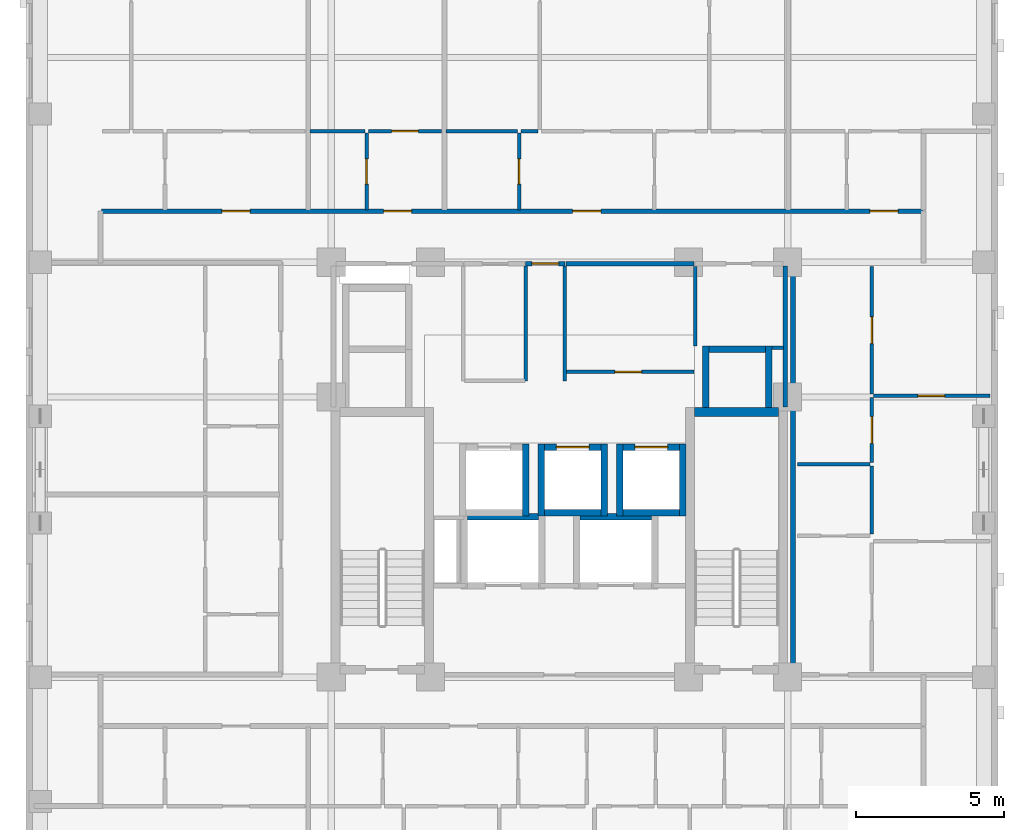
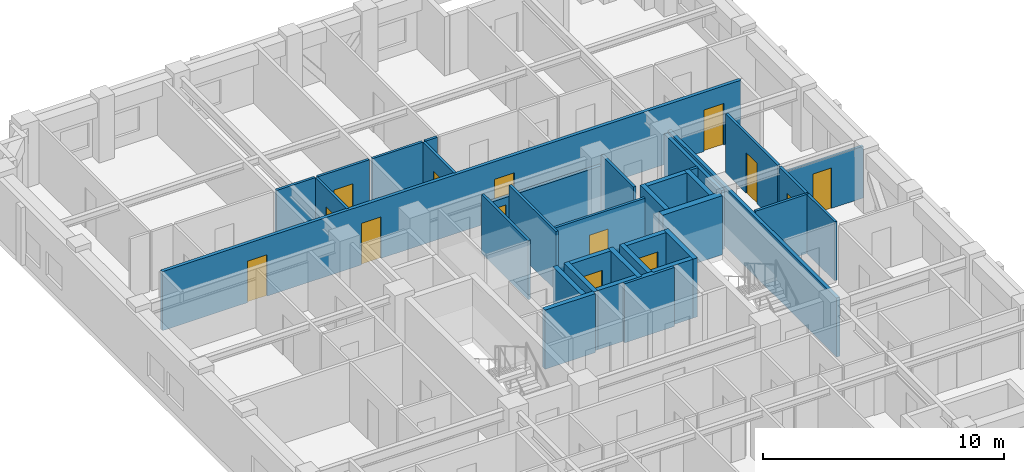
# One storey, part 6 of 11: 36 walls, 14 doors, 14 openings.
"""IFC4 building model written with IfcOpenShell, lengths in metres."""

from ifc_helpers import new_model, si_unit, derived_unit, direction, frame, frame_2d, origin, place, context, subcontext, project, spatial, rectangle, extrude, material, layer, layer_set, type_object, element, fill, save


model = new_model("IFC4")

# Units and contexts
model_context = context("Model", 3, precision=1e-05, world=origin(), true_north=direction((0.0, 1.0)))
body_context = subcontext(model_context, "Body", "Model", "MODEL_VIEW")
ifc_project = project(units=[si_unit("LENGTHUNIT", "METRE"), si_unit("AREAUNIT", "SQUARE_METRE"), si_unit("VOLUMEUNIT", "CUBIC_METRE"), si_unit("PLANEANGLEUNIT", "RADIAN"), si_unit("MASSUNIT", "GRAM", prefix="KILO"), derived_unit("THERMALTRANSMITTANCEUNIT", [(si_unit("MASSUNIT", "GRAM", prefix="KILO"), 1), (si_unit("TIMEUNIT", "SECOND"), -3), (si_unit("THERMODYNAMICTEMPERATUREUNIT", "KELVIN"), -1)])], contexts=[model_context])

# Site, building, storey
site_placement = place(None, origin())
site = spatial("IfcSite", under=ifc_project, at=site_placement, CompositionType="ELEMENT")
building_placement = place(site_placement, origin())
building = spatial("IfcBuilding", under=site, at=building_placement, Name="Korrvale Station Residences", CompositionType="ELEMENT")
storey_placement = place(building_placement, frame((0.0, 0.0, 143.89990234375)))
storey = spatial("IfcBuildingStorey", under=building, at=storey_placement, Name="L41", CompositionType="ELEMENT", Elevation=143.89990234375)

# Walls
ifc_material_1 = material(Name="Concrete C60/75", Category="concrete")
ifc_layer_1 = layer(ifc_material_1, 0.300048828125, Name="Concrete C60/75")
ifc_layer_set_1 = layer_set([ifc_layer_1], Name="Concrete C60/75")
wall_type_1 = type_object("IfcWallType", Name="WAL-CORE-300-C60", PredefinedType="SHEAR", material=ifc_layer_set_1)
wall_1_placement = place(storey_placement, frame((30.050048828125, 23.949951171875, 0.0), z_axis=(0.0, 0.0, 1.0), x_axis=(1.0, 0.0, 0.0)))
element("IfcWall", 1, at=wall_1_placement, inside=storey, type_object=wall_type_1, Name="L41 ST-2 Core Shear Wall North", PredefinedType="SHEAR", context=body_context, shape_type="SweptSolid", body=[
    extrude(rectangle(XDim=2.849853515625, YDim=0.300048828125, at=frame_2d((1.4248046875, 0.0))), origin(), (0.0, 0.0, 1.0), 2.989990234375),
])
ifc_material_2 = material(Name="Acoustic steel-stud gypsum board partition", Category="steel")
ifc_layer_2 = layer(ifc_material_2, 0.1201171875, Name="Acoustic steel-stud gypsum board partition")
ifc_layer_set_2 = layer_set([ifc_layer_2], Name="Acoustic steel-stud gypsum board partition")
wall_type_2 = type_object("IfcWallType", Name="WAL-PART-125", PredefinedType="PARTITIONING", material=ifc_layer_set_2)
for number, where, z_axis, x_axis, name in (
    (2, (24.360107421875, 25.0, 0.0), (0.0, 0.0, 1.0), (0.0, 1.0, 0.0), "L41 Core Partition CW-PSG-W"),
    (3, (25.679931640625, 25.0, 0.0), (0.0, 0.0, 1.0), (0.0, 1.0, 0.0), "L41 Core Partition CW-PSG-E"),
):
    element("IfcWall", number, at=place(storey_placement, frame(where, z_axis=z_axis, x_axis=x_axis)), inside=storey, type_object=wall_type_2, Name=name, PredefinedType="PARTITIONING", context=body_context, shape_type="SweptSolid", body=[
        extrude(rectangle(XDim=3.8701171875, YDim=0.1201171875, at=frame_2d((1.93505859375, 0.0))), origin(), (0.0, 0.0, 1.0), 2.989990234375),
    ])
wall_2_placement = place(storey_placement, frame((30.080078125, 26.179931640625, 0.0), z_axis=(0.0, 0.0, 1.0), x_axis=(0.0, 1.0, 0.0)))
element("IfcWall", 4, at=wall_2_placement, inside=storey, type_object=wall_type_2, Name="L41 Core Partition CW-CS-W", PredefinedType="PARTITIONING", context=body_context, shape_type="SweptSolid", body=[
    extrude(rectangle(XDim=2.68017578125, YDim=0.1201171875, at=frame_2d((1.340087890625, 0.0))), origin(), (0.0, 0.0, 1.0), 2.989990234375),
])
wall_3_placement = place(storey_placement, frame((32.679931640625, 26.1201171875, 0.0), z_axis=(0.0, 0.0, 1.0), x_axis=(1.0, 0.0, 0.0)))
element("IfcWall", 5, at=wall_3_placement, inside=storey, type_object=wall_type_2, Name="L41 Core Partition CW-CS-S", PredefinedType="PARTITIONING", context=body_context, shape_type="SweptSolid", body=[
    extrude(rectangle(XDim=0.380126953125, YDim=0.1201171875, at=frame_2d((0.18994140625, 0.0))), origin(), (0.0, 0.0, 1.0), 2.989990234375),
])

# Wall, opening, door
wall_4_placement = place(storey_placement, frame((25.719970703125, 25.300048828125, 0.0), z_axis=(0.0, 0.0, 1.0), x_axis=(1.0, 0.0, 0.0)))
wall_4 = element("IfcWall", 6, at=wall_4_placement, inside=storey, type_object=wall_type_2, Name="L41 Core Partition CW-FPLE-S", PredefinedType="PARTITIONING", context=body_context, shape_type="SweptSolid", body=[
    extrude(rectangle(XDim=4.320068359375, YDim=0.1201171875, at=frame_2d((2.16015625, 0.0))), origin(), (0.0, 0.0, 1.0), 2.989990234375),
])
opening_1_placement = place(wall_4_placement, frame((1.64990234375, 0.0, 0.0)))
opening_1 = element("IfcOpeningElement", 7, at=opening_1_placement, cuts=wall_4, Name="Opening DI-900", PredefinedType="OPENING", context=body_context, shape_type="SweptSolid", body=[
    extrude(rectangle(XDim=0.89990234375, YDim=2.050048828125, at=frame_2d((0.449951171875, 1.02490234375))), frame((0.0, 0.070068359375, 0.0), z_axis=(0.0, -1.0, 0.0), x_axis=(1.0, 0.0, 0.0)), (0.0, 0.0, 1.0), 0.14013671875),
])
ifc_material_3 = material(Name="Painted solid-core timber interior room door", Category="wood")
door_type_1 = type_object("IfcDoorType", Name="DR-INT-900", OperationType="NOTDEFINED", PredefinedType="DOOR", material=ifc_material_3)
door_1_placement = place(opening_1_placement, origin())
door_1 = element("IfcDoor", 8, at=door_1_placement, inside=storey, type_object=door_type_1, Name="L41 Housekeeping Linen Door", OperationType="SINGLE_SWING_LEFT", OverallHeight=2.050048828125, OverallWidth=0.89990234375, PredefinedType="DOOR", context=body_context, shape_type="SweptSolid", body=[
    extrude(rectangle(XDim=0.89990234375, YDim=2.050048828125, at=frame_2d((0.449951171875, 1.02490234375))), frame((0.0, 0.02490234375, 0.0), z_axis=(0.0, -1.0, 0.0), x_axis=(1.0, 0.0, 0.0)), (0.0, 0.0, 1.0), 0.050048828125),
])
fill(opening_1, door_1)

wall_5_placement = place(storey_placement, frame((18.993896484375, 30.760009765625, 0.0), z_axis=(0.0, 0.0, 1.0), x_axis=(0.0, 1.0, 0.0)))
wall_5 = element("IfcWall", 9, at=wall_5_placement, inside=storey, type_object=wall_type_2, Name="L41 Suite Partition U04-V01", PredefinedType="PARTITIONING", context=body_context, shape_type="SweptSolid", body=[
    extrude(rectangle(XDim=2.60009765625, YDim=0.1201171875, at=frame_2d((1.300048828125, 0.0))), origin(), (0.0, 0.0, 1.0), 2.989990234375),
])
opening_2_placement = place(wall_5_placement, frame((0.8701171875, 0.0, 0.0)))
opening_2 = element("IfcOpeningElement", 10, at=opening_2_placement, cuts=wall_5, Name="Opening DB-860", PredefinedType="OPENING", context=body_context, shape_type="SweptSolid", body=[
    extrude(rectangle(XDim=0.860107421875, YDim=2.050048828125, at=frame_2d((0.43017578125, 1.02490234375))), frame((0.0, 0.070068359375, 0.0), z_axis=(0.0, -1.0, 0.0), x_axis=(1.0, 0.0, 0.0)), (0.0, 0.0, 1.0), 0.14013671875),
])
ifc_material_4 = material(Name="Moisture-resistant solid-core bathroom door", Category="timber")
door_type_2 = type_object("IfcDoorType", Name="DR-BATH-860", OperationType="NOTDEFINED", PredefinedType="DOOR", material=ifc_material_4)
door_2_placement = place(opening_2_placement, origin())
door_2 = element("IfcDoor", 11, at=door_2_placement, inside=storey, type_object=door_type_2, Name="L41 Studio Apartment L41-U04 Bathroom Door", OperationType="SINGLE_SWING_LEFT", OverallHeight=2.050048828125, OverallWidth=0.860107421875, PredefinedType="DOOR", context=body_context, shape_type="SweptSolid", body=[
    extrude(rectangle(XDim=0.860107421875, YDim=2.050048828125, at=frame_2d((0.43017578125, 1.02490234375))), frame((0.0, 0.02490234375, 0.0), z_axis=(0.0, -1.0, 0.0), x_axis=(1.0, 0.0, 0.0)), (0.0, 0.0, 1.0), 0.050048828125),
])
fill(opening_2, door_2)

# Wall
wall_6_placement = place(storey_placement, frame((17.083984375, 33.419921875, 0.0), z_axis=(0.0, 0.0, 1.0), x_axis=(1.0, 0.0, 0.0)))
element("IfcWall", 12, at=wall_6_placement, inside=storey, type_object=wall_type_2, Name="L41 Suite Partition U04-H02", PredefinedType="PARTITIONING", context=body_context, shape_type="SweptSolid", body=[
    extrude(rectangle(XDim=1.85009765625, YDim=0.1201171875, at=frame_2d((0.925048828125, 0.0))), origin(), (0.0, 0.0, 1.0), 2.989990234375),
])

# Wall, opening, door
wall_7_placement = place(storey_placement, frame((19.053955078125, 33.419921875, 0.0), z_axis=(0.0, 0.0, 1.0), x_axis=(1.0, 0.0, 0.0)))
wall_7 = element("IfcWall", 13, at=wall_7_placement, inside=storey, type_object=wall_type_2, Name="L41 Suite Partition U04-H12", PredefinedType="PARTITIONING", context=body_context, shape_type="SweptSolid", body=[
    extrude(rectangle(XDim=2.467041015625, YDim=0.1201171875, at=frame_2d((1.2333984375, 0.0))), origin(), (0.0, 0.0, 1.0), 2.989990234375),
])
opening_3_placement = place(wall_7_placement, frame((0.782958984375, 0.0, 0.0)))
opening_3 = element("IfcOpeningElement", 14, at=opening_3_placement, cuts=wall_7, Name="Opening DI-900", PredefinedType="OPENING", context=body_context, shape_type="SweptSolid", body=[
    extrude(rectangle(XDim=0.89990234375, YDim=2.050048828125, at=frame_2d((0.449951171875, 1.02490234375))), frame((0.0, 0.070068359375, 0.0), z_axis=(0.0, -1.0, 0.0), x_axis=(1.0, 0.0, 0.0)), (0.0, 0.0, 1.0), 0.14013671875),
])
door_3_placement = place(opening_3_placement, origin())
door_3 = element("IfcDoor", 15, at=door_3_placement, inside=storey, type_object=door_type_1, Name="L41 Studio Apartment L41-U04 Kitchen Door", OperationType="SINGLE_SWING_RIGHT", OverallHeight=2.050048828125, OverallWidth=0.89990234375, PredefinedType="DOOR", context=body_context, shape_type="SweptSolid", body=[
    extrude(rectangle(XDim=0.89990234375, YDim=2.050048828125, at=frame_2d((0.449951171875, 1.02490234375))), frame((0.0, 0.02490234375, 0.0), z_axis=(0.0, -1.0, 0.0), x_axis=(1.0, 0.0, 0.0)), (0.0, 0.0, 1.0), 0.050048828125),
])
fill(opening_3, door_3)

wall_8_placement = place(storey_placement, frame((24.14111328125, 30.760009765625, 0.0), z_axis=(0.0, 0.0, 1.0), x_axis=(0.0, 1.0, 0.0)))
wall_8 = element("IfcWall", 16, at=wall_8_placement, inside=storey, type_object=wall_type_2, Name="L41 Suite Partition U05-V01", PredefinedType="PARTITIONING", context=body_context, shape_type="SweptSolid", body=[
    extrude(rectangle(XDim=2.60009765625, YDim=0.1201171875, at=frame_2d((1.300048828125, 0.0))), origin(), (0.0, 0.0, 1.0), 2.989990234375),
])
opening_4_placement = place(wall_8_placement, frame((0.8701171875, 0.0, 0.0)))
opening_4 = element("IfcOpeningElement", 17, at=opening_4_placement, cuts=wall_8, Name="Opening DB-860", PredefinedType="OPENING", context=body_context, shape_type="SweptSolid", body=[
    extrude(rectangle(XDim=0.860107421875, YDim=2.050048828125, at=frame_2d((0.43017578125, 1.02490234375))), frame((0.0, 0.070068359375, 0.0), z_axis=(0.0, -1.0, 0.0), x_axis=(1.0, 0.0, 0.0)), (0.0, 0.0, 1.0), 0.14013671875),
])
door_4_placement = place(opening_4_placement, origin())
door_4 = element("IfcDoor", 18, at=door_4_placement, inside=storey, type_object=door_type_2, Name="L41 Studio Apartment L41-U05 Bathroom Door", OperationType="SINGLE_SWING_LEFT", OverallHeight=2.050048828125, OverallWidth=0.860107421875, PredefinedType="DOOR", context=body_context, shape_type="SweptSolid", body=[
    extrude(rectangle(XDim=0.860107421875, YDim=2.050048828125, at=frame_2d((0.43017578125, 1.02490234375))), frame((0.0, 0.02490234375, 0.0), z_axis=(0.0, -1.0, 0.0), x_axis=(1.0, 0.0, 0.0)), (0.0, 0.0, 1.0), 0.050048828125),
])
fill(opening_4, door_4)

# Walls
wall_9_placement = place(storey_placement, frame((21.680908203125, 33.419921875, 0.0), z_axis=(0.0, 0.0, 1.0), x_axis=(1.0, 0.0, 0.0)))
element("IfcWall", 19, at=wall_9_placement, inside=storey, type_object=wall_type_2, Name="L41 Suite Partition U05-H03", PredefinedType="PARTITIONING", context=body_context, shape_type="SweptSolid", body=[
    extrude(rectangle(XDim=2.400146484375, YDim=0.1201171875, at=frame_2d((1.2001953125, 0.0))), origin(), (0.0, 0.0, 1.0), 2.989990234375),
])
wall_10_placement = place(storey_placement, frame((24.200927734375, 33.419921875, 0.0), z_axis=(0.0, 0.0, 1.0), x_axis=(1.0, 0.0, 0.0)))
element("IfcWall", 20, at=wall_10_placement, inside=storey, type_object=wall_type_2, Name="L41 Suite Partition U05-H13", PredefinedType="PARTITIONING", context=body_context, shape_type="SweptSolid", body=[
    extrude(rectangle(XDim=0.580078125, YDim=0.1201171875, at=frame_2d((0.2900390625, 0.0))), origin(), (0.0, 0.0, 1.0), 2.989990234375),
])
wall_11_placement = place(storey_placement, frame((33.530029296875, 22.18994140625, 0.0), z_axis=(0.0, 0.0, 1.0), x_axis=(1.0, 0.0, 0.0)))
element("IfcWall", 21, at=wall_11_placement, inside=storey, type_object=wall_type_2, Name="L41 Suite Partition U09-H01", PredefinedType="PARTITIONING", context=body_context, shape_type="SweptSolid", body=[
    extrude(rectangle(XDim=2.449951171875, YDim=0.1201171875, at=frame_2d((1.22509765625, 0.0))), origin(), (0.0, 0.0, 1.0), 2.989990234375),
])

# Wall, opening, door
wall_12_placement = place(storey_placement, frame((36.0400390625, 22.25, 0.0), z_axis=(0.0, 0.0, 1.0), x_axis=(0.0, 1.0, 0.0)))
wall_12 = element("IfcWall", 22, at=wall_12_placement, inside=storey, type_object=wall_type_2, Name="L41 Suite Partition U09-V04", PredefinedType="PARTITIONING", context=body_context, shape_type="SweptSolid", body=[
    extrude(rectangle(XDim=2.181884765625, YDim=0.1201171875, at=frame_2d((1.0908203125, 0.0))), origin(), (0.0, 0.0, 1.0), 2.989990234375),
])
opening_5_placement = place(wall_12_placement, frame((0.64111328125, 0.0, 0.0)))
opening_5 = element("IfcOpeningElement", 23, at=opening_5_placement, cuts=wall_12, Name="Opening DI-900", PredefinedType="OPENING", context=body_context, shape_type="SweptSolid", body=[
    extrude(rectangle(XDim=0.89990234375, YDim=2.050048828125, at=frame_2d((0.449951171875, 1.02490234375))), frame((0.0, 0.070068359375, 0.0), z_axis=(0.0, -1.0, 0.0), x_axis=(1.0, 0.0, 0.0)), (0.0, 0.0, 1.0), 0.14013671875),
])
door_5_placement = place(opening_5_placement, origin())
door_5 = element("IfcDoor", 24, at=door_5_placement, inside=storey, type_object=door_type_1, Name="L41 Apartment 2BR L41-U09 Wardrobe Storage Room Door", OperationType="SINGLE_SWING_LEFT", OverallHeight=2.050048828125, OverallWidth=0.89990234375, PredefinedType="DOOR", context=body_context, shape_type="SweptSolid", body=[
    extrude(rectangle(XDim=0.89990234375, YDim=2.050048828125, at=frame_2d((0.449951171875, 1.02490234375))), frame((0.0, 0.02490234375, 0.0), z_axis=(0.0, -1.0, 0.0), x_axis=(1.0, 0.0, 0.0)), (0.0, 0.0, 1.0), 0.050048828125),
])
fill(opening_5, door_5)

wall_13_placement = place(storey_placement, frame((36.0400390625, 24.552001953125, 0.0), z_axis=(0.0, 0.0, 1.0), x_axis=(0.0, 1.0, 0.0)))
wall_13 = element("IfcWall", 25, at=wall_13_placement, inside=storey, type_object=wall_type_2, Name="L41 Suite Partition U09-V05", PredefinedType="PARTITIONING", context=body_context, shape_type="SweptSolid", body=[
    extrude(rectangle(XDim=4.30810546875, YDim=0.1201171875, at=frame_2d((2.154052734375, 0.0))), origin(), (0.0, 0.0, 1.0), 2.989990234375),
])
opening_6_placement = place(wall_13_placement, frame((1.7041015625, 0.0, 0.0)))
opening_6 = element("IfcOpeningElement", 26, at=opening_6_placement, cuts=wall_13, Name="Opening DI-900", PredefinedType="OPENING", context=body_context, shape_type="SweptSolid", body=[
    extrude(rectangle(XDim=0.89990234375, YDim=2.050048828125, at=frame_2d((0.449951171875, 1.02490234375))), frame((0.0, 0.070068359375, 0.0), z_axis=(0.0, -1.0, 0.0), x_axis=(1.0, 0.0, 0.0)), (0.0, 0.0, 1.0), 0.14013671875),
])
door_6_placement = place(opening_6_placement, origin())
door_6 = element("IfcDoor", 27, at=door_6_placement, inside=storey, type_object=door_type_1, Name="L41 Apartment 2BR L41-U09 Wardrobe Storage Room Door", OperationType="SINGLE_SWING_RIGHT", OverallHeight=2.050048828125, OverallWidth=0.89990234375, PredefinedType="DOOR", context=body_context, shape_type="SweptSolid", body=[
    extrude(rectangle(XDim=0.89990234375, YDim=2.050048828125, at=frame_2d((0.449951171875, 1.02490234375))), frame((0.0, 0.02490234375, 0.0), z_axis=(0.0, -1.0, 0.0), x_axis=(1.0, 0.0, 0.0)), (0.0, 0.0, 1.0), 0.050048828125),
])
fill(opening_6, door_6)

# Wall
wall_14_placement = place(storey_placement, frame((36.0400390625, 19.830078125, 0.0), z_axis=(0.0, 0.0, 1.0), x_axis=(0.0, 1.0, 0.0)))
element("IfcWall", 28, at=wall_14_placement, inside=storey, type_object=wall_type_2, Name="L41 Suite Partition U09-V14", PredefinedType="PARTITIONING", context=body_context, shape_type="SweptSolid", body=[
    extrude(rectangle(XDim=2.2998046875, YDim=0.1201171875, at=frame_2d((1.14990234375, 0.0))), origin(), (0.0, 0.0, 1.0), 2.989990234375),
])

# Wall, opening, door
wall_15_placement = place(storey_placement, frame((36.10009765625, 24.491943359375, 0.0), z_axis=(0.0, 0.0, 1.0), x_axis=(1.0, 0.0, 0.0)))
wall_15 = element("IfcWall", 29, at=wall_15_placement, inside=storey, type_object=wall_type_2, Name="L41 Suite Partition U09-H45", PredefinedType="PARTITIONING", context=body_context, shape_type="SweptSolid", body=[
    extrude(rectangle(XDim=3.919921875, YDim=0.1201171875, at=frame_2d((1.9599609375, 0.0))), origin(), (0.0, 0.0, 1.0), 2.62109375),
])
opening_7_placement = place(wall_15_placement, frame((1.4951171875, 0.0, 0.0)))
opening_7 = element("IfcOpeningElement", 30, at=opening_7_placement, cuts=wall_15, Name="Opening DI-900", PredefinedType="OPENING", context=body_context, shape_type="SweptSolid", body=[
    extrude(rectangle(XDim=0.89990234375, YDim=2.050048828125, at=frame_2d((0.449951171875, 1.02490234375))), frame((0.0, 0.070068359375, 0.0), z_axis=(0.0, -1.0, 0.0), x_axis=(1.0, 0.0, 0.0)), (0.0, 0.0, 1.0), 0.14013671875),
])
door_7_placement = place(opening_7_placement, origin())
door_7 = element("IfcDoor", 31, at=door_7_placement, inside=storey, type_object=door_type_1, Name="L41 Apartment 2BR L41-U09 Living and Dining Room Door", OperationType="SINGLE_SWING_RIGHT", OverallHeight=2.050048828125, OverallWidth=0.89990234375, PredefinedType="DOOR", context=body_context, shape_type="SweptSolid", body=[
    extrude(rectangle(XDim=0.89990234375, YDim=2.050048828125, at=frame_2d((0.449951171875, 1.02490234375))), frame((0.0, 0.02490234375, 0.0), z_axis=(0.0, -1.0, 0.0), x_axis=(1.0, 0.0, 0.0)), (0.0, 0.0, 1.0), 0.050048828125),
])
fill(opening_7, door_7)

# Wall
ifc_material_5 = material(Name="Fire-rated twin-stud gypsum and mineral wool shaftwall assembly", Category="gypsum")
ifc_layer_3 = layer(ifc_material_5, 0.159912109375, Name="Fire-rated twin-stud gypsum and mineral wool shaftwall assembly")
ifc_layer_set_3 = layer_set([ifc_layer_3], Name="Fire-rated twin-stud gypsum and mineral wool shaftwall assembly")
wall_type_3 = type_object("IfcWallType", Name="WAL-PART-200", PredefinedType="PARTITIONING", material=ifc_layer_set_3)
wall_16_placement = place(storey_placement, frame((33.1201171875, 24.1201171875, 0.0), z_axis=(0.0, 0.0, 1.0), x_axis=(0.0, 1.0, 0.0)))
element("IfcWall", 32, at=wall_16_placement, inside=storey, type_object=wall_type_3, Name="L41 Core Partition CW-E-N", PredefinedType="PARTITIONING", context=body_context, shape_type="SweptSolid", body=[
    extrude(rectangle(XDim=4.759765625, YDim=0.159912109375, at=frame_2d((2.3798828125, 0.0))), origin(), (0.0, 0.0, 1.0), 2.989990234375),
])

# Wall, opening, door
wall_17_placement = place(storey_placement, frame((24.360107421875, 28.949951171875, 0.0), z_axis=(0.0, 0.0, 1.0), x_axis=(1.0, 0.0, 0.0)))
wall_17 = element("IfcWall", 33, at=wall_17_placement, inside=storey, type_object=wall_type_3, Name="L41 Core Partition CW-LLOB-N", PredefinedType="PARTITIONING", context=body_context, shape_type="SweptSolid", body=[
    extrude(rectangle(XDim=1.31982421875, YDim=0.159912109375, at=frame_2d((0.659912109375, 0.0))), origin(), (0.0, 0.0, 1.0), 2.426025390625),
])
opening_8_placement = place(wall_17_placement, frame((0.2099609375, 0.0, 0.0)))
opening_8 = element("IfcOpeningElement", 34, at=opening_8_placement, cuts=wall_17, Name="Opening DI-900", PredefinedType="OPENING", context=body_context, shape_type="SweptSolid", body=[
    extrude(rectangle(XDim=0.89990234375, YDim=2.050048828125, at=frame_2d((0.449951171875, 1.02490234375))), frame((0.0, 0.08984375, 0.0), z_axis=(0.0, -1.0, 0.0), x_axis=(1.0, 0.0, 0.0)), (0.0, 0.0, 1.0), 0.179931640625),
])
door_8_placement = place(opening_8_placement, origin())
door_8 = element("IfcDoor", 35, at=door_8_placement, inside=storey, type_object=door_type_1, Name="L41 Central Hallway North Passage Door", OperationType="SINGLE_SWING_LEFT", OverallHeight=2.050048828125, OverallWidth=0.89990234375, PredefinedType="DOOR", context=body_context, shape_type="SweptSolid", body=[
    extrude(rectangle(XDim=0.89990234375, YDim=2.050048828125, at=frame_2d((0.449951171875, 1.02490234375))), frame((0.0, 0.02490234375, 0.0), z_axis=(0.0, -1.0, 0.0), x_axis=(1.0, 0.0, 0.0)), (0.0, 0.0, 1.0), 0.050048828125),
])
fill(opening_8, door_8)

# Wall
wall_18_placement = place(storey_placement, frame((25.719970703125, 28.949951171875, 0.0), z_axis=(0.0, 0.0, 1.0), x_axis=(1.0, 0.0, 0.0)))
element("IfcWall", 36, at=wall_18_placement, inside=storey, type_object=wall_type_3, Name="L41 Core Partition CW-FPLE-N", PredefinedType="PARTITIONING", context=body_context, shape_type="SweptSolid", body=[
    extrude(rectangle(XDim=4.320068359375, YDim=0.159912109375, at=frame_2d((2.16015625, 0.0))), origin(), (0.0, 0.0, 1.0), 2.426025390625),
])

# Wall, openings, doors
wall_19_placement = place(storey_placement, frame((10.050048828125, 30.719970703125, 0.0), z_axis=(0.0, 0.0, 1.0), x_axis=(1.0, 0.0, 0.0)))
wall_19 = element("IfcWall", 37, at=wall_19_placement, inside=storey, type_object=wall_type_3, Name="L41 Rated Corridor Wall N", PredefinedType="PARTITIONING", context=body_context, shape_type="SweptSolid", body=[
    extrude(rectangle(XDim=27.699951171875, YDim=0.159912109375, at=frame_2d((13.85009765625, 0.0))), origin(), (0.0, 0.0, 1.0), 2.989990234375),
])
opening_9_placement = place(wall_19_placement, frame((4.06298828125, 0.0, 0.0)))
opening_9 = element("IfcOpeningElement", 38, at=opening_9_placement, cuts=wall_19, Name="Opening UD-950", PredefinedType="OPENING", context=body_context, shape_type="SweptSolid", body=[
    extrude(rectangle(XDim=0.949951171875, YDim=2.10009765625, at=frame_2d((0.47509765625, 1.050048828125))), frame((0.0, 0.08984375, 0.0), z_axis=(0.0, -1.0, 0.0), x_axis=(1.0, 0.0, 0.0)), (0.0, 0.0, 1.0), 0.179931640625),
])
opening_10_placement = place(wall_19_placement, frame((9.514892578125, 0.0, 0.0)))
opening_10 = element("IfcOpeningElement", 39, at=opening_10_placement, cuts=wall_19, Name="Opening UD-950", PredefinedType="OPENING", context=body_context, shape_type="SweptSolid", body=[
    extrude(rectangle(XDim=0.949951171875, YDim=2.10009765625, at=frame_2d((0.47509765625, 1.050048828125))), frame((0.0, 0.08984375, 0.0), z_axis=(0.0, -1.0, 0.0), x_axis=(1.0, 0.0, 0.0)), (0.0, 0.0, 1.0), 0.179931640625),
])
opening_11_placement = place(wall_19_placement, frame((15.89599609375, 0.0, 0.0)))
opening_11 = element("IfcOpeningElement", 40, at=opening_11_placement, cuts=wall_19, Name="Opening UD-950", PredefinedType="OPENING", context=body_context, shape_type="SweptSolid", body=[
    extrude(rectangle(XDim=0.949951171875, YDim=2.10009765625, at=frame_2d((0.47509765625, 1.050048828125))), frame((0.0, 0.08984375, 0.0), z_axis=(0.0, -1.0, 0.0), x_axis=(1.0, 0.0, 0.0)), (0.0, 0.0, 1.0), 0.179931640625),
])
opening_12_placement = place(wall_19_placement, frame((25.925048828125, 0.0, 0.0)))
opening_12 = element("IfcOpeningElement", 41, at=opening_12_placement, cuts=wall_19, Name="Opening UD-950", PredefinedType="OPENING", context=body_context, shape_type="SweptSolid", body=[
    extrude(rectangle(XDim=0.949951171875, YDim=2.10009765625, at=frame_2d((0.47509765625, 1.050048828125))), frame((0.0, 0.08984375, 0.0), z_axis=(0.0, -1.0, 0.0), x_axis=(1.0, 0.0, 0.0)), (0.0, 0.0, 1.0), 0.179931640625),
])
ifc_material_6 = material(Name="Solid-core acoustic oak apartment entrance door", Category="timber")
door_type_3 = type_object("IfcDoorType", Name="DR-UNIT-950", OperationType="NOTDEFINED", PredefinedType="DOOR", material=ifc_material_6)
door_9_placement = place(opening_9_placement, origin())
door_9 = element("IfcDoor", 42, at=door_9_placement, inside=storey, type_object=door_type_3, Name="L41 Apartment L41-U03 Entrance Door", OperationType="SINGLE_SWING_LEFT", OverallHeight=2.10009765625, OverallWidth=0.949951171875, PredefinedType="DOOR", context=body_context, shape_type="SweptSolid", body=[
    extrude(rectangle(XDim=0.949951171875, YDim=2.10009765625, at=frame_2d((0.47509765625, 1.050048828125))), frame((0.0, 0.02490234375, 0.0), z_axis=(0.0, -1.0, 0.0), x_axis=(1.0, 0.0, 0.0)), (0.0, 0.0, 1.0), 0.050048828125),
])
fill(opening_9, door_9)
door_10_placement = place(opening_10_placement, origin())
door_10 = element("IfcDoor", 43, at=door_10_placement, inside=storey, type_object=door_type_3, Name="L41 Apartment L41-U04 Entrance Door", OperationType="SINGLE_SWING_RIGHT", OverallHeight=2.10009765625, OverallWidth=0.949951171875, PredefinedType="DOOR", context=body_context, shape_type="SweptSolid", body=[
    extrude(rectangle(XDim=0.949951171875, YDim=2.10009765625, at=frame_2d((0.47509765625, 1.050048828125))), frame((0.0, 0.02490234375, 0.0), z_axis=(0.0, -1.0, 0.0), x_axis=(1.0, 0.0, 0.0)), (0.0, 0.0, 1.0), 0.050048828125),
])
fill(opening_10, door_10)
door_11_placement = place(opening_11_placement, origin())
door_11 = element("IfcDoor", 44, at=door_11_placement, inside=storey, type_object=door_type_3, Name="L41 Apartment L41-U05 Entrance Door", OperationType="SINGLE_SWING_LEFT", OverallHeight=2.10009765625, OverallWidth=0.949951171875, PredefinedType="DOOR", context=body_context, shape_type="SweptSolid", body=[
    extrude(rectangle(XDim=0.949951171875, YDim=2.10009765625, at=frame_2d((0.47509765625, 1.050048828125))), frame((0.0, 0.02490234375, 0.0), z_axis=(0.0, -1.0, 0.0), x_axis=(1.0, 0.0, 0.0)), (0.0, 0.0, 1.0), 0.050048828125),
])
fill(opening_11, door_11)
door_12_placement = place(opening_12_placement, origin())
door_12 = element("IfcDoor", 45, at=door_12_placement, inside=storey, type_object=door_type_3, Name="L41 Apartment L41-U06 Entrance Door", OperationType="SINGLE_SWING_RIGHT", OverallHeight=2.10009765625, OverallWidth=0.949951171875, PredefinedType="DOOR", context=body_context, shape_type="SweptSolid", body=[
    extrude(rectangle(XDim=0.949951171875, YDim=2.10009765625, at=frame_2d((0.47509765625, 1.050048828125))), frame((0.0, 0.02490234375, 0.0), z_axis=(0.0, -1.0, 0.0), x_axis=(1.0, 0.0, 0.0)), (0.0, 0.0, 1.0), 0.050048828125),
])
fill(opening_12, door_12)

# Walls
wall_20_placement = place(storey_placement, frame((33.3798828125, 15.02001953125, 0.0), z_axis=(0.0, 0.0, 1.0), x_axis=(0.0, 1.0, 0.0)))
element("IfcWall", 46, at=wall_20_placement, inside=storey, type_object=wall_type_3, Name="L41 Rated Corridor Wall E", PredefinedType="PARTITIONING", context=body_context, shape_type="SweptSolid", body=[
    extrude(rectangle(XDim=13.97998046875, YDim=0.159912109375, at=frame_2d((6.989990234375, 0.0))), origin(), (0.0, 0.0, 1.0), 2.989990234375),
])
ifc_layer_4 = layer(ifc_material_1, 0.219970703125, Name="Concrete C60/75")
ifc_layer_set_4 = layer_set([ifc_layer_4], Name="Concrete C60/75")
wall_type_4 = type_object("IfcWallType", Name="WAL-SHAFT-220-C60", PredefinedType="SHEAR", material=ifc_layer_set_4)
wall_21_placement = place(storey_placement, frame((24.360107421875, 20.429931640625, 0.0), z_axis=(0.0, 0.0, 1.0), x_axis=(0.0, 1.0, 0.0)))
element("IfcWall", 47, at=wall_21_placement, inside=storey, type_object=wall_type_4, Name="L41 Elevator PM-1 Hoistway Wall East", PredefinedType="SHEAR", context=body_context, shape_type="SweptSolid", body=[
    extrude(rectangle(XDim=2.440185546875, YDim=0.219970703125, at=frame_2d((1.22021484375, 0.0))), origin(), (0.0, 0.0, 1.0), 2.989990234375),
])
wall_22_placement = place(storey_placement, frame((25.0, 20.5400390625, 0.0), z_axis=(0.0, 0.0, 1.0), x_axis=(1.0, 0.0, 0.0)))
element("IfcWall", 48, at=wall_22_placement, inside=storey, type_object=wall_type_4, Name="L41 Elevator PM-2 Hoistway Wall South", PredefinedType="SHEAR", context=body_context, shape_type="SweptSolid", body=[
    extrude(rectangle(XDim=1.89990234375, YDim=0.219970703125, at=frame_2d((0.949951171875, 0.0))), origin(), (0.0, 0.0, 1.0), 2.989990234375),
])

# Wall, opening, door
wall_23_placement = place(storey_placement, frame((25.0, 22.760009765625, 0.0), z_axis=(0.0, 0.0, 1.0), x_axis=(1.0, 0.0, 0.0)))
wall_23 = element("IfcWall", 49, at=wall_23_placement, inside=storey, type_object=wall_type_4, Name="L41 Elevator PM-2 Hoistway Wall North", PredefinedType="SHEAR", context=body_context, shape_type="SweptSolid", body=[
    extrude(rectangle(XDim=1.89990234375, YDim=0.219970703125, at=frame_2d((0.949951171875, 0.0))), origin(), (0.0, 0.0, 1.0), 2.989990234375),
])
opening_13_placement = place(wall_23_placement, frame((0.39990234375, 0.0, 0.0)))
opening_13 = element("IfcOpeningElement", 50, at=opening_13_placement, cuts=wall_23, Name="Opening LD-1100", PredefinedType="OPENING", context=body_context, shape_type="SweptSolid", body=[
    extrude(rectangle(XDim=1.10009765625, YDim=2.14990234375, at=frame_2d((0.550048828125, 1.074951171875))), frame((0.0, 0.1201171875, 0.0), z_axis=(0.0, -1.0, 0.0), x_axis=(1.0, 0.0, 0.0)), (0.0, 0.0, 1.0), 0.239990234375),
])
ifc_material_7 = material(Name="Brushed stainless-steel elevator landing sliding door", Category="steel")
door_type_4 = type_object("IfcDoorType", Name="DR-LIFT-1100", OperationType="SLIDING_TO_LEFT", PredefinedType="DOOR", material=ifc_material_7)
door_13_placement = place(opening_13_placement, origin())
door_13 = element("IfcDoor", 51, at=door_13_placement, inside=storey, type_object=door_type_4, Name="L41 Elevator PM-2 Sliding Landing Door", OperationType="SLIDING_TO_LEFT", OverallHeight=2.14990234375, OverallWidth=1.10009765625, PredefinedType="DOOR", context=body_context, shape_type="SweptSolid", body=[
    extrude(rectangle(XDim=1.10009765625, YDim=2.14990234375, at=frame_2d((0.550048828125, 1.074951171875))), frame((0.0, 0.02490234375, 0.0), z_axis=(0.0, -1.0, 0.0), x_axis=(1.0, 0.0, 0.0)), (0.0, 0.0, 1.0), 0.050048828125),
])
fill(opening_13, door_13)

# Walls
for number, where, z_axis, x_axis, name in (
    (52, (24.889892578125, 20.429931640625, 0.0), (0.0, 0.0, 1.0), (0.0, 1.0, 0.0), "L41 Elevator PM-2 Hoistway Wall West"),
    (53, (27.010009765625, 20.429931640625, 0.0), (0.0, 0.0, 1.0), (0.0, 1.0, 0.0), "L41 Elevator PM-2 Hoistway Wall East"),
):
    element("IfcWall", number, at=place(storey_placement, frame(where, z_axis=z_axis, x_axis=x_axis)), inside=storey, type_object=wall_type_4, Name=name, PredefinedType="SHEAR", context=body_context, shape_type="SweptSolid", body=[
        extrude(rectangle(XDim=2.440185546875, YDim=0.219970703125, at=frame_2d((1.22021484375, 0.0))), origin(), (0.0, 0.0, 1.0), 2.989990234375),
    ])
wall_24_placement = place(storey_placement, frame((27.64990234375, 20.5400390625, 0.0), z_axis=(0.0, 0.0, 1.0), x_axis=(1.0, 0.0, 0.0)))
element("IfcWall", 54, at=wall_24_placement, inside=storey, type_object=wall_type_4, Name="L41 Elevator PM-3 Hoistway Wall South", PredefinedType="SHEAR", context=body_context, shape_type="SweptSolid", body=[
    extrude(rectangle(XDim=1.900146484375, YDim=0.219970703125, at=frame_2d((0.9501953125, 0.0))), origin(), (0.0, 0.0, 1.0), 2.989990234375),
])

# Wall, opening, door
wall_25_placement = place(storey_placement, frame((27.64990234375, 22.760009765625, 0.0), z_axis=(0.0, 0.0, 1.0), x_axis=(1.0, 0.0, 0.0)))
wall_25 = element("IfcWall", 55, at=wall_25_placement, inside=storey, type_object=wall_type_4, Name="L41 Elevator PM-3 Hoistway Wall North", PredefinedType="SHEAR", context=body_context, shape_type="SweptSolid", body=[
    extrude(rectangle(XDim=1.900146484375, YDim=0.219970703125, at=frame_2d((0.9501953125, 0.0))), origin(), (0.0, 0.0, 1.0), 2.989990234375),
])
opening_14_placement = place(wall_25_placement, frame((0.39990234375, 0.0, 0.0)))
opening_14 = element("IfcOpeningElement", 56, at=opening_14_placement, cuts=wall_25, Name="Opening LD-1100", PredefinedType="OPENING", context=body_context, shape_type="SweptSolid", body=[
    extrude(rectangle(XDim=1.10009765625, YDim=2.14990234375, at=frame_2d((0.550048828125, 1.074951171875))), frame((0.0, 0.1201171875, 0.0), z_axis=(0.0, -1.0, 0.0), x_axis=(1.0, 0.0, 0.0)), (0.0, 0.0, 1.0), 0.239990234375),
])
door_14_placement = place(opening_14_placement, origin())
door_14 = element("IfcDoor", 57, at=door_14_placement, inside=storey, type_object=door_type_4, Name="L41 Elevator PM-3 Sliding Landing Door", OperationType="SLIDING_TO_LEFT", OverallHeight=2.14990234375, OverallWidth=1.10009765625, PredefinedType="DOOR", context=body_context, shape_type="SweptSolid", body=[
    extrude(rectangle(XDim=1.10009765625, YDim=2.14990234375, at=frame_2d((0.550048828125, 1.074951171875))), frame((0.0, 0.02490234375, 0.0), z_axis=(0.0, -1.0, 0.0), x_axis=(1.0, 0.0, 0.0)), (0.0, 0.0, 1.0), 0.050048828125),
])
fill(opening_14, door_14)

# Walls
for number, where, z_axis, x_axis, name in (
    (58, (27.5400390625, 20.429931640625, 0.0), (0.0, 0.0, 1.0), (0.0, 1.0, 0.0), "L41 Elevator PM-3 Hoistway Wall West"),
    (59, (29.659912109375, 20.429931640625, 0.0), (0.0, 0.0, 1.0), (0.0, 1.0, 0.0), "L41 Elevator PM-3 Hoistway Wall East"),
):
    element("IfcWall", number, at=place(storey_placement, frame(where, z_axis=z_axis, x_axis=x_axis)), inside=storey, type_object=wall_type_4, Name=name, PredefinedType="SHEAR", context=body_context, shape_type="SweptSolid", body=[
        extrude(rectangle(XDim=2.440185546875, YDim=0.219970703125, at=frame_2d((1.22021484375, 0.0))), origin(), (0.0, 0.0, 1.0), 2.989990234375),
    ])
wall_26_placement = place(storey_placement, frame((30.550048828125, 26.06005859375, 0.0), z_axis=(0.0, 0.0, 1.0), x_axis=(1.0, 0.0, 0.0)))
element("IfcWall", 60, at=wall_26_placement, inside=storey, type_object=wall_type_4, Name="L41 Elevator PH-3 Hoistway Wall North", PredefinedType="SHEAR", context=body_context, shape_type="SweptSolid", body=[
    extrude(rectangle(XDim=1.89990234375, YDim=0.219970703125, at=frame_2d((0.949951171875, 0.0))), origin(), (0.0, 0.0, 1.0), 2.989990234375),
])
for number, where, z_axis, x_axis, name in (
    (61, (30.43994140625, 24.10009765625, 0.0), (0.0, 0.0, 1.0), (0.0, 1.0, 0.0), "L41 Elevator PH-3 Hoistway Wall West"),
    (62, (32.56005859375, 24.10009765625, 0.0), (0.0, 0.0, 1.0), (0.0, 1.0, 0.0), "L41 Elevator PH-3 Hoistway Wall East"),
):
    element("IfcWall", number, at=place(storey_placement, frame(where, z_axis=z_axis, x_axis=x_axis)), inside=storey, type_object=wall_type_4, Name=name, PredefinedType="SHEAR", context=body_context, shape_type="SweptSolid", body=[
        extrude(rectangle(XDim=2.06982421875, YDim=0.219970703125, at=frame_2d((1.034912109375, 0.0))), origin(), (0.0, 0.0, 1.0), 2.989990234375),
    ])
for number, where, z_axis, x_axis, name in (
    (63, (22.39990234375, 20.409912109375, 0.0), (0.0, 0.0, 1.0), (1.0, 0.0, 0.0), "L41 Elevator FFL-1 Hoistway Wall North"),
    (64, (26.199951171875, 20.409912109375, 0.0), (0.0, 0.0, 1.0), (1.0, 0.0, 0.0), "L41 Elevator FFL-2 Hoistway Wall North"),
):
    element("IfcWall", number, at=place(storey_placement, frame(where, z_axis=z_axis, x_axis=x_axis)), inside=storey, type_object=wall_type_4, Name=name, PredefinedType="SHEAR", context=body_context, shape_type="SweptSolid", body=[
        extrude(rectangle(XDim=2.400146484375, YDim=0.219970703125, at=frame_2d((1.2001953125, 0.0))), origin(), (0.0, 0.0, 1.0), 2.989990234375),
    ])

save(model, "model.ifc")
